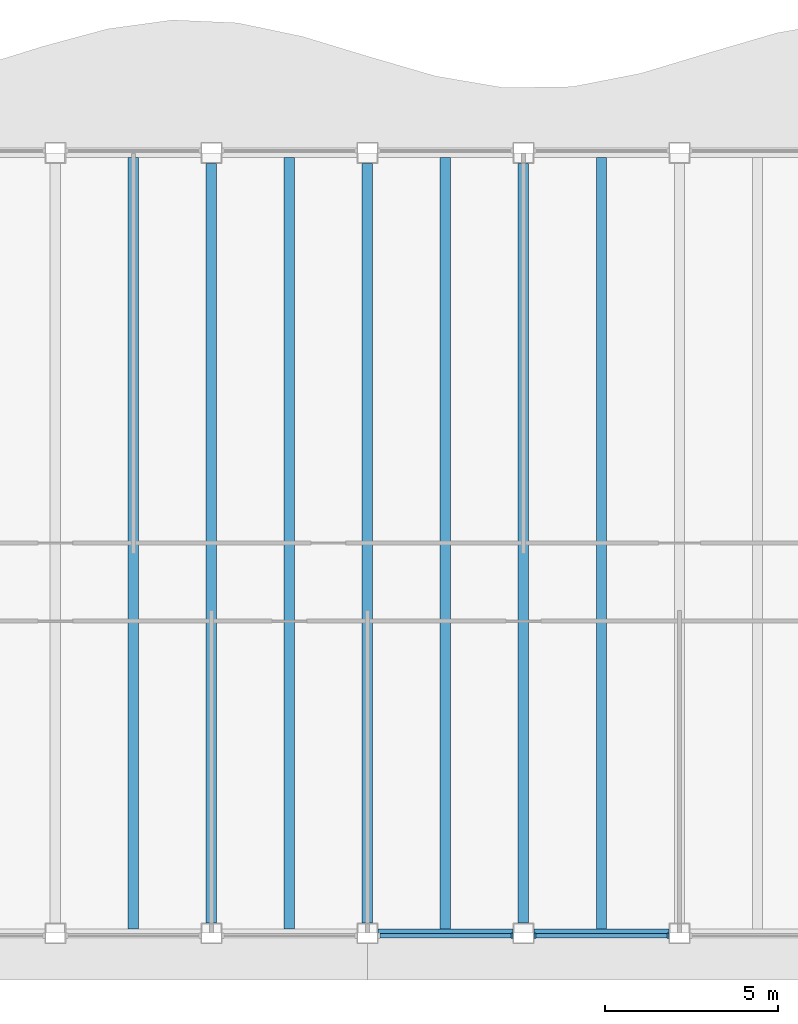
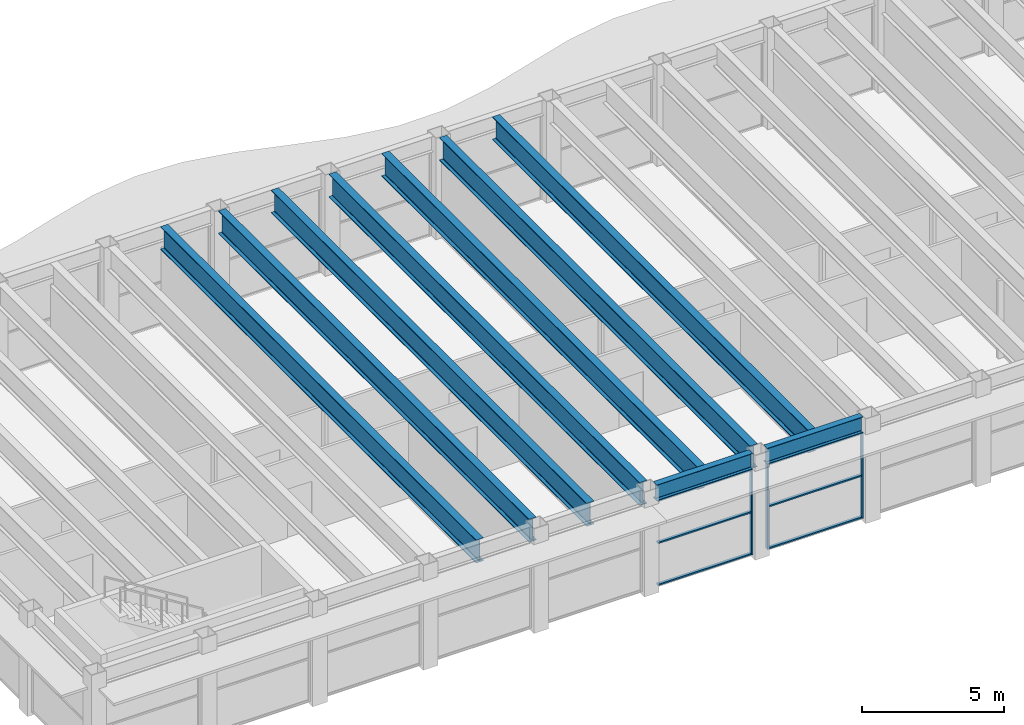
# One storey, part 3 of 14: 9 beams, 9 members, 2 elements without a shape of their own.
"""IFC4 building model written with IfcOpenShell, lengths in metres."""

from ifc_helpers import new_model, si_unit, direction, frame, origin, origin_2d, place, context, subcontext, project, spatial, rectangle, i_section, extrude, material, material_profile, profile_set, type_object, element, aggregate, save


model = new_model("IFC4")

# Units and contexts
model_context = context("Model", 3, precision=1e-05, world=origin(), true_north=direction((0.0, 1.0)))
body_context = subcontext(model_context, "Body", "Model", "MODEL_VIEW")
ifc_project = project(units=[si_unit("LENGTHUNIT", "METRE"), si_unit("AREAUNIT", "SQUARE_METRE"), si_unit("VOLUMEUNIT", "CUBIC_METRE"), si_unit("PLANEANGLEUNIT", "RADIAN"), si_unit("MASSUNIT", "GRAM", prefix="KILO")], contexts=[model_context])

# Site, building, storey
site_placement = place(None, origin())
site = spatial("IfcSite", under=ifc_project, at=site_placement, CompositionType="ELEMENT")
building_placement = place(site_placement, origin())
building = spatial("IfcBuilding", under=site, at=building_placement, Name="Sennacour Bend Tower", CompositionType="ELEMENT")
storey_placement = place(building_placement, frame((0.0, 0.0, 314.0)))
storey = spatial("IfcBuildingStorey", under=building, at=storey_placement, Name="L72", CompositionType="ELEMENT", Elevation=314.0)

# Curtain wall, member
ifc_material_1 = material(Name="Bronze anodised aluminium curtain wall with clear glass", Category="aluminium")
curtain_wall_type = type_object("IfcCurtainWallType", Name="CURTAIN WALL EXEC", PredefinedType="NOTDEFINED", material=ifc_material_1)
curtain_wall_1_placement = place(storey_placement, origin())
curtain_wall_1 = element("IfcCurtainWall", 1, at=curtain_wall_1_placement, inside=storey, type_object=curtain_wall_type, Name="Executive floor glass wall L72", PredefinedType="NOTDEFINED")
ifc_material_2 = material(Name="Aluminium 6063-T6", Category="aluminium")
ifc_material_profile_1 = material_profile(ifc_material_2, rectangle(XDim=0.14990234375, YDim=0.06005859375, at=origin_2d()), Name="Aluminium 6063-T6", Category="aluminium")
ifc_profile_set_1 = profile_set([ifc_material_profile_1], Name="Aluminium 6063-T6")
member_type_1 = type_object("IfcMemberType", Name="CW-MULLION-150X60", PredefinedType="MULLION", material=ifc_profile_set_1)
member_1_placement = place(storey_placement, frame((26.669921875, -0.074951171875, 0.0), z_axis=(0.0, 0.0, 1.0), x_axis=(0.0, 1.0, 0.0)))
member_1 = element("IfcMember", 2, at=member_1_placement, type_object=member_type_1, Name="GW3 curtain wall mullion 2", PredefinedType="MULLION", context=body_context, shape_type="SweptSolid", body=[
    extrude(rectangle(XDim=0.14990234375, YDim=0.06005859375, at=origin_2d()), origin(), (0.0, 0.0, 1.0), 3.672119140625),
])

# Curtain wall, members
curtain_wall_2_placement = place(storey_placement, origin())
curtain_wall_2 = element("IfcCurtainWall", 3, at=curtain_wall_2_placement, inside=storey, type_object=curtain_wall_type, Name="Executive floor glass wall L72", PredefinedType="NOTDEFINED")
member_2_placement = place(storey_placement, frame((27.330078125, -0.074951171875, 0.0), z_axis=(0.0, 0.0, 1.0), x_axis=(0.0, 1.0, 0.0)))
member_2 = element("IfcMember", 4, at=member_2_placement, type_object=member_type_1, Name="GW3 curtain wall mullion 1", PredefinedType="MULLION", context=body_context, shape_type="SweptSolid", body=[
    extrude(rectangle(XDim=0.14990234375, YDim=0.06005859375, at=origin_2d()), origin(), (0.0, 0.0, 1.0), 3.672119140625),
])
member_3_placement = place(storey_placement, frame((31.169921875, -0.074951171875, 0.0), z_axis=(0.0, 0.0, 1.0), x_axis=(0.0, 1.0, 0.0)))
member_3 = element("IfcMember", 5, at=member_3_placement, type_object=member_type_1, Name="GW3 curtain wall mullion 2", PredefinedType="MULLION", context=body_context, shape_type="SweptSolid", body=[
    extrude(rectangle(XDim=0.14990234375, YDim=0.06005859375, at=origin_2d()), origin(), (0.0, 0.0, 1.0), 3.672119140625),
])

# Member
ifc_material_profile_2 = material_profile(ifc_material_2, rectangle(XDim=0.1201171875, YDim=0.06005859375, at=origin_2d()), Name="Aluminium 6063-T6", Category="aluminium")
ifc_profile_set_2 = profile_set([ifc_material_profile_2], Name="Aluminium 6063-T6")
member_type_2 = type_object("IfcMemberType", Name="CW-TRANSOM-120X60", PredefinedType="USERDEFINED", material=ifc_profile_set_2)
member_4_placement = place(storey_placement, frame((22.860107421875, -0.074951171875, 0.030029296875), z_axis=(1.0, 0.0, 0.0), x_axis=(0.0, 1.0, 0.0)))
member_4 = element("IfcMember", 6, at=member_4_placement, type_object=member_type_2, Name="GW3 curtain wall transom 1.1", ObjectType="TRANSOM", PredefinedType="USERDEFINED", context=body_context, shape_type="SweptSolid", body=[
    extrude(rectangle(XDim=0.1201171875, YDim=0.06005859375, at=origin_2d()), origin(), (0.0, 0.0, 1.0), 3.77978515625),
])

member_5_placement = place(storey_placement, frame((22.860107421875, -0.074951171875, 1.8359375), z_axis=(1.0, 0.0, 0.0), x_axis=(0.0, 1.0, 0.0)))
member_5 = element("IfcMember", 7, at=member_5_placement, type_object=member_type_2, Name="GW3 curtain wall transom 1.2", ObjectType="TRANSOM", PredefinedType="USERDEFINED", context=body_context, shape_type="SweptSolid", body=[
    extrude(rectangle(XDim=0.1201171875, YDim=0.06005859375, at=origin_2d()), origin(), (0.0, 0.0, 1.0), 3.77978515625),
])

member_6_placement = place(storey_placement, frame((22.860107421875, -0.074951171875, 3.64208984375), z_axis=(1.0, 0.0, 0.0), x_axis=(0.0, 1.0, 0.0)))
member_6 = element("IfcMember", 8, at=member_6_placement, type_object=member_type_2, Name="GW3 curtain wall transom 1.3", ObjectType="TRANSOM", PredefinedType="USERDEFINED", context=body_context, shape_type="SweptSolid", body=[
    extrude(rectangle(XDim=0.1201171875, YDim=0.06005859375, at=origin_2d()), origin(), (0.0, 0.0, 1.0), 3.77978515625),
])

aggregate(curtain_wall_1, [member_1, member_4, member_5, member_6])

member_7_placement = place(storey_placement, frame((27.360107421875, -0.074951171875, 0.030029296875), z_axis=(1.0, 0.0, 0.0), x_axis=(0.0, 1.0, 0.0)))
member_7 = element("IfcMember", 9, at=member_7_placement, type_object=member_type_2, Name="GW3 curtain wall transom 1.1", ObjectType="TRANSOM", PredefinedType="USERDEFINED", context=body_context, shape_type="SweptSolid", body=[
    extrude(rectangle(XDim=0.1201171875, YDim=0.06005859375, at=origin_2d()), origin(), (0.0, 0.0, 1.0), 3.77978515625),
])

member_8_placement = place(storey_placement, frame((27.360107421875, -0.074951171875, 1.8359375), z_axis=(1.0, 0.0, 0.0), x_axis=(0.0, 1.0, 0.0)))
member_8 = element("IfcMember", 10, at=member_8_placement, type_object=member_type_2, Name="GW3 curtain wall transom 1.2", ObjectType="TRANSOM", PredefinedType="USERDEFINED", context=body_context, shape_type="SweptSolid", body=[
    extrude(rectangle(XDim=0.1201171875, YDim=0.06005859375, at=origin_2d()), origin(), (0.0, 0.0, 1.0), 3.77978515625),
])

member_9_placement = place(storey_placement, frame((27.360107421875, -0.074951171875, 3.64208984375), z_axis=(1.0, 0.0, 0.0), x_axis=(0.0, 1.0, 0.0)))
member_9 = element("IfcMember", 11, at=member_9_placement, type_object=member_type_2, Name="GW3 curtain wall transom 1.3", ObjectType="TRANSOM", PredefinedType="USERDEFINED", context=body_context, shape_type="SweptSolid", body=[
    extrude(rectangle(XDim=0.1201171875, YDim=0.06005859375, at=origin_2d()), origin(), (0.0, 0.0, 1.0), 3.77978515625),
])

aggregate(curtain_wall_2, [member_2, member_3, member_7, member_8, member_9])

# Beams
ifc_material_3 = material(Name="Steel ASTM A992 Grade 50", Category="steel")
ifc_material_profile_3 = material_profile(ifc_material_3, i_section(OverallWidth=0.300048828125, OverallDepth=0.990966796875, WebThickness=0.0166015625, FlangeThickness=0.030517578125, FilletRadius=0.030029296875, at=origin_2d()), Name="Steel ASTM A992 Grade 50", Category="steel")
ifc_profile_set_3 = profile_set([ifc_material_profile_3], Name="Steel ASTM A992 Grade 50")
beam_type_1 = type_object("IfcBeamType", Name="Floor beam W1000X272", PredefinedType="BEAM", material=ifc_profile_set_3)
beam_1_placement = place(storey_placement, frame((15.75, 0.126953125, 3.8544921875), z_axis=(0.0, 1.0, 0.0), x_axis=(-1.0, 0.0, 0.0)))
element("IfcBeam", 12, at=beam_1_placement, inside=storey, type_object=beam_type_1, Name="Floor beam FBM3 L73-007", PredefinedType="BEAM", context=body_context, shape_type="SweptSolid", body=[
    extrude(i_section(OverallWidth=0.300048828125, OverallDepth=0.990966796875, WebThickness=0.0166015625, FlangeThickness=0.030517578125, FilletRadius=0.030029296875, at=origin_2d()), origin(), (0.0, 0.0, 1.0), 22.24609375),
])
beam_2_placement = place(storey_placement, frame((18.0, 0.300048828125, 3.8544921875), z_axis=(0.0, 1.0, 0.0), x_axis=(-1.0, 0.0, 0.0)))
element("IfcBeam", 13, at=beam_2_placement, inside=storey, type_object=beam_type_1, Name="Floor beam FBM3 L73-008", PredefinedType="BEAM", context=body_context, shape_type="SweptSolid", body=[
    extrude(i_section(OverallWidth=0.300048828125, OverallDepth=0.990966796875, WebThickness=0.0166015625, FlangeThickness=0.030517578125, FilletRadius=0.030029296875, at=origin_2d()), origin(), (0.0, 0.0, 1.0), 21.89990234375),
])
beam_3_placement = place(storey_placement, frame((20.25, 0.126953125, 3.8544921875), z_axis=(0.0, 1.0, 0.0), x_axis=(-1.0, 0.0, 0.0)))
element("IfcBeam", 14, at=beam_3_placement, inside=storey, type_object=beam_type_1, Name="Floor beam FBM3 L73-009", PredefinedType="BEAM", context=body_context, shape_type="SweptSolid", body=[
    extrude(i_section(OverallWidth=0.300048828125, OverallDepth=0.990966796875, WebThickness=0.0166015625, FlangeThickness=0.030517578125, FilletRadius=0.030029296875, at=origin_2d()), origin(), (0.0, 0.0, 1.0), 22.24609375),
])
beam_4_placement = place(storey_placement, frame((22.5, 0.300048828125, 3.8544921875), z_axis=(0.0, 1.0, 0.0), x_axis=(-1.0, 0.0, 0.0)))
element("IfcBeam", 15, at=beam_4_placement, inside=storey, type_object=beam_type_1, Name="Floor beam FBM3 L73-010", PredefinedType="BEAM", context=body_context, shape_type="SweptSolid", body=[
    extrude(i_section(OverallWidth=0.300048828125, OverallDepth=0.990966796875, WebThickness=0.0166015625, FlangeThickness=0.030517578125, FilletRadius=0.030029296875, at=origin_2d()), origin(), (0.0, 0.0, 1.0), 21.89990234375),
])
beam_5_placement = place(storey_placement, frame((24.75, 0.126953125, 3.8544921875), z_axis=(0.0, 1.0, 0.0), x_axis=(-1.0, 0.0, 0.0)))
element("IfcBeam", 16, at=beam_5_placement, inside=storey, type_object=beam_type_1, Name="Floor beam FBM3 L73-011", PredefinedType="BEAM", context=body_context, shape_type="SweptSolid", body=[
    extrude(i_section(OverallWidth=0.300048828125, OverallDepth=0.990966796875, WebThickness=0.0166015625, FlangeThickness=0.030517578125, FilletRadius=0.030029296875, at=origin_2d()), origin(), (0.0, 0.0, 1.0), 22.24609375),
])
beam_6_placement = place(storey_placement, frame((27.0, 0.300048828125, 3.8544921875), z_axis=(0.0, 1.0, 0.0), x_axis=(-1.0, 0.0, 0.0)))
element("IfcBeam", 17, at=beam_6_placement, inside=storey, type_object=beam_type_1, Name="Floor beam FBM3 L73-012", PredefinedType="BEAM", context=body_context, shape_type="SweptSolid", body=[
    extrude(i_section(OverallWidth=0.300048828125, OverallDepth=0.990966796875, WebThickness=0.0166015625, FlangeThickness=0.030517578125, FilletRadius=0.030029296875, at=origin_2d()), origin(), (0.0, 0.0, 1.0), 21.89990234375),
])
beam_7_placement = place(storey_placement, frame((29.25, 0.126953125, 3.8544921875), z_axis=(0.0, 1.0, 0.0), x_axis=(-1.0, 0.0, 0.0)))
element("IfcBeam", 18, at=beam_7_placement, inside=storey, type_object=beam_type_1, Name="Floor beam FBM3 L73-013", PredefinedType="BEAM", context=body_context, shape_type="SweptSolid", body=[
    extrude(i_section(OverallWidth=0.300048828125, OverallDepth=0.990966796875, WebThickness=0.0166015625, FlangeThickness=0.030517578125, FilletRadius=0.030029296875, at=origin_2d()), origin(), (0.0, 0.0, 1.0), 22.24609375),
])
ifc_material_profile_4 = material_profile(ifc_material_3, i_section(OverallWidth=0.25390625, OverallDepth=0.677978515625, WebThickness=0.01171875, FlangeThickness=0.016357421875, FilletRadius=0.01513671875, at=origin_2d()), Name="Steel ASTM A992 Grade 50", Category="steel")
ifc_profile_set_4 = profile_set([ifc_material_profile_4], Name="Steel ASTM A992 Grade 50")
beam_type_2 = type_object("IfcBeamType", Name="Spandrel beam W690X125", PredefinedType="SPANDREL", material=ifc_profile_set_4)
for number, where, z_axis, x_axis, name in (
    (19, (31.199951171875, 0.0, 4.010986328125), (-1.0, 0.0, 0.0), (0.0, -1.0, 0.0), "Spandrel beam SP7 L73-023"),
    (20, (26.699951171875, 0.0, 4.010986328125), (-1.0, 0.0, 0.0), (0.0, -1.0, 0.0), "Spandrel beam SP7 L73-024"),
):
    element("IfcBeam", number, at=place(storey_placement, frame(where, z_axis=z_axis, x_axis=x_axis)), inside=storey, type_object=beam_type_2, Name=name, PredefinedType="SPANDREL", context=body_context, shape_type="SweptSolid", body=[
        extrude(i_section(OverallWidth=0.25390625, OverallDepth=0.677978515625, WebThickness=0.01171875, FlangeThickness=0.016357421875, FilletRadius=0.01513671875, at=origin_2d()), origin(), (0.0, 0.0, 1.0), 3.89990234375),
    ])

save(model, "model.ifc")
